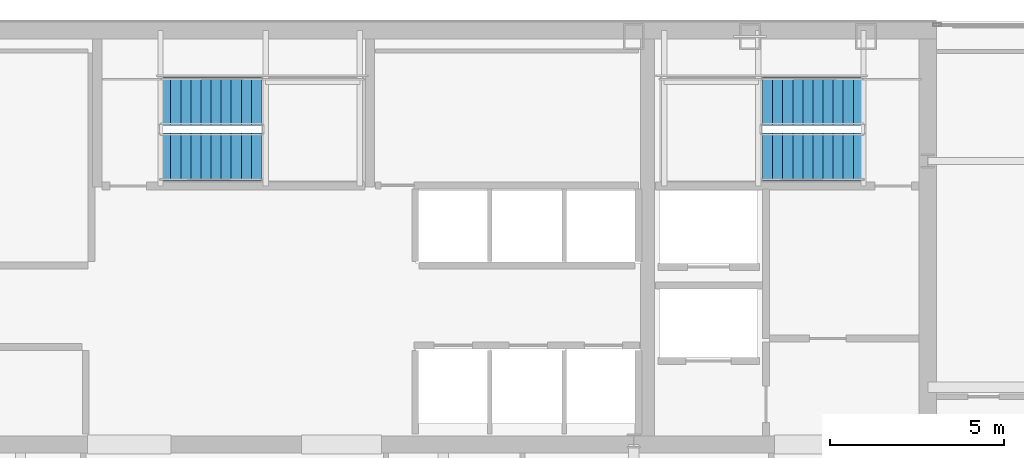
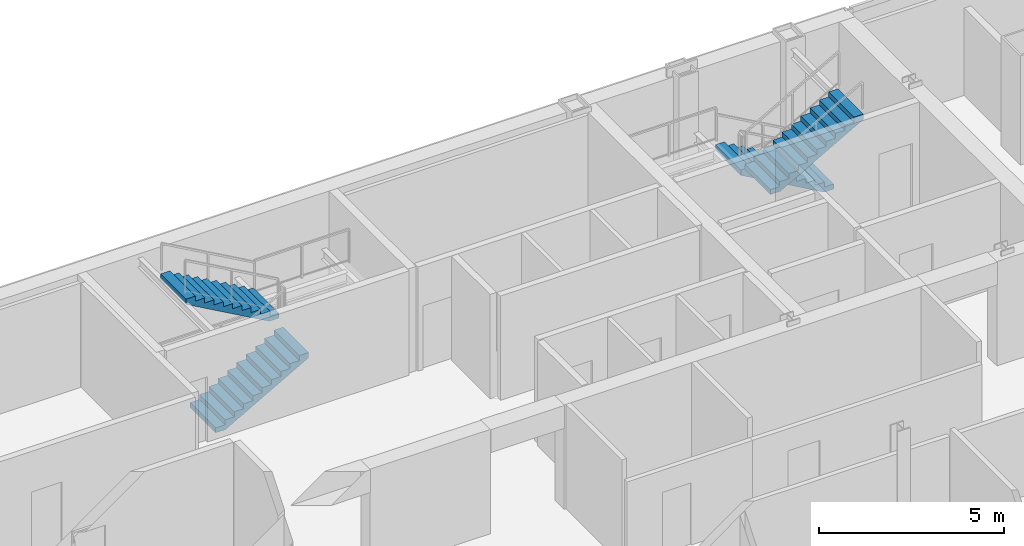
# One storey, part 28 of 30: 4 stair flights, 2 elements without a shape of their own.
"""IFC4 building model written with IfcOpenShell, lengths in metres."""

from ifc_helpers import new_model, si_unit, direction, frame, origin, place, context, subcontext, project, spatial, polyline, outline, extrude, material, type_object, element, aggregate, save


model = new_model("IFC4")

# Units and contexts
model_context = context("Model", 3, precision=1e-05, world=origin(), true_north=direction((0.0, 1.0)))
body_context = subcontext(model_context, "Body", "Model", "MODEL_VIEW")
ifc_project = project(units=[si_unit("LENGTHUNIT", "METRE"), si_unit("AREAUNIT", "SQUARE_METRE"), si_unit("VOLUMEUNIT", "CUBIC_METRE"), si_unit("PLANEANGLEUNIT", "RADIAN"), si_unit("MASSUNIT", "GRAM", prefix="KILO")], contexts=[model_context])

# Site, building, storey
site_placement = place(None, origin())
site = spatial("IfcSite", under=ifc_project, at=site_placement, CompositionType="ELEMENT")
building_placement = place(site_placement, origin())
building = spatial("IfcBuilding", under=site, at=building_placement, Name="Khoronbel Lancet Exchange", CompositionType="ELEMENT")
storey_placement = place(building_placement, frame((0.0, 0.0, 269.800048828125)))
storey = spatial("IfcBuildingStorey", under=building, at=storey_placement, Name="L69", CompositionType="ELEMENT", Elevation=269.800048828125)

# Stair, stair flights
ifc_material = material(Name="Concrete C40/50", Category="concrete")
stair_type = type_object("IfcStairType", Name="STR-CORE150", PredefinedType="HALF_TURN_STAIR", material=ifc_material)
stair_1_placement = place(storey_placement, origin())
stair_1 = element("IfcStair", 1, at=stair_1_placement, inside=storey, type_object=stair_type, Name="L69 Protected Exit Stair ST2", PredefinedType="HALF_TURN_STAIR")
stair_flight_type = type_object("IfcStairFlightType", Name="STF-150", PredefinedType="STRAIGHT", material=ifc_material)
stair_flight_1_placement = place(storey_placement, frame((54.60009765625, 51.409912109375, 0.0), z_axis=(0.0, 0.0, 1.0), x_axis=(-1.0, 0.0, 0.0)))
stair_flight_1 = element("IfcStairFlight", 2, at=stair_flight_1_placement, type_object=stair_flight_type, Name="ST2 flight 1", NumberOfRisers=11, NumberOfTreads=10, PredefinedType="STRAIGHT", RiserHeight=0.163636364, TreadLength=0.29, context=body_context, shape_type="SweptSolid", body=[
    extrude(outline(polyline([(0.0, 0.0), (0.0, 0.16357421875), (0.2900390625, 0.16357421875), (0.2900390625, 0.327392578125), (0.580078125, 0.327392578125), (0.580078125, 0.490966796875), (0.8701171875, 0.490966796875), (0.8701171875, 0.654541015625), (1.159912109375, 0.654541015625), (1.159912109375, 0.818115234375), (1.449951171875, 0.818115234375), (1.449951171875, 0.98193359375), (1.739990234375, 0.98193359375), (1.739990234375, 1.1455078125), (2.030029296875, 1.1455078125), (2.030029296875, 1.30908203125), (2.320068359375, 1.30908203125), (2.320068359375, 1.47265625), (2.610107421875, 1.47265625), (2.610107421875, 1.636474609375), (2.89990234375, 1.636474609375), (2.89990234375, 1.800048828125), (2.89990234375, 1.46435546875), (0.304931640625, 0.0), (0.0, 0.0)])), frame((0.0, 0.68994140625, 0.0), z_axis=(0.0, -1.0, 0.0), x_axis=(1.0, 0.0, 0.0)), (0.0, 0.0, 1.0), 1.3798828125),
])
stair_flight_2_placement = place(storey_placement, frame((51.699951171875, 49.81005859375, 1.800048828125), z_axis=(0.0, 0.0, 1.0), x_axis=(1.0, 0.0, 0.0)))
stair_flight_2 = element("IfcStairFlight", 3, at=stair_flight_2_placement, type_object=stair_flight_type, Name="ST2 flight 2", NumberOfRisers=11, NumberOfTreads=10, PredefinedType="STRAIGHT", RiserHeight=0.163636364, TreadLength=0.29, context=body_context, shape_type="SweptSolid", body=[
    extrude(outline(polyline([(0.0, 0.0), (0.0, 0.16357421875), (0.2900390625, 0.16357421875), (0.2900390625, 0.327392578125), (0.580078125, 0.327392578125), (0.580078125, 0.490966796875), (0.8701171875, 0.490966796875), (0.8701171875, 0.654541015625), (1.159912109375, 0.654541015625), (1.159912109375, 0.818115234375), (1.449951171875, 0.818115234375), (1.449951171875, 0.98193359375), (1.739990234375, 0.98193359375), (1.739990234375, 1.1455078125), (2.030029296875, 1.1455078125), (2.030029296875, 1.30908203125), (2.320068359375, 1.30908203125), (2.320068359375, 1.47265625), (2.610107421875, 1.47265625), (2.610107421875, 1.636474609375), (2.89990234375, 1.636474609375), (2.89990234375, 1.800048828125), (2.89990234375, 1.46435546875), (0.304931640625, 0.0), (0.0, 0.0)])), frame((0.0, 0.68994140625, 0.0), z_axis=(0.0, -1.0, 0.0), x_axis=(1.0, 0.0, 0.0)), (0.0, 0.0, 1.0), 1.3798828125),
])
aggregate(stair_1, [stair_flight_1, stair_flight_2])

stair_2_placement = place(storey_placement, origin())
stair_2 = element("IfcStair", 4, at=stair_2_placement, inside=storey, type_object=stair_type, Name="L69 Protected Exit Stair ST3", PredefinedType="HALF_TURN_STAIR")
stair_flight_3_placement = place(storey_placement, frame((34.39990234375, 49.81005859375, 0.0), z_axis=(0.0, 0.0, 1.0), x_axis=(1.0, 0.0, 0.0)))
stair_flight_3 = element("IfcStairFlight", 5, at=stair_flight_3_placement, type_object=stair_flight_type, Name="ST3 flight 1", NumberOfRisers=11, NumberOfTreads=10, PredefinedType="STRAIGHT", RiserHeight=0.163636364, TreadLength=0.29, context=body_context, shape_type="SweptSolid", body=[
    extrude(outline(polyline([(0.0, 0.0), (0.0, 0.16357421875), (0.2900390625, 0.16357421875), (0.2900390625, 0.327392578125), (0.580078125, 0.327392578125), (0.580078125, 0.490966796875), (0.8701171875, 0.490966796875), (0.8701171875, 0.654541015625), (1.159912109375, 0.654541015625), (1.159912109375, 0.818115234375), (1.449951171875, 0.818115234375), (1.449951171875, 0.98193359375), (1.739990234375, 0.98193359375), (1.739990234375, 1.1455078125), (2.030029296875, 1.1455078125), (2.030029296875, 1.30908203125), (2.320068359375, 1.30908203125), (2.320068359375, 1.47265625), (2.610107421875, 1.47265625), (2.610107421875, 1.636474609375), (2.89990234375, 1.636474609375), (2.89990234375, 1.800048828125), (2.89990234375, 1.46435546875), (0.304931640625, 0.0), (0.0, 0.0)])), frame((0.0, 0.68994140625, 0.0), z_axis=(0.0, -1.0, 0.0), x_axis=(1.0, 0.0, 0.0)), (0.0, 0.0, 1.0), 1.3798828125),
])
stair_flight_4_placement = place(storey_placement, frame((37.300048828125, 51.409912109375, 1.800048828125), z_axis=(0.0, 0.0, 1.0), x_axis=(-1.0, 0.0, 0.0)))
stair_flight_4 = element("IfcStairFlight", 6, at=stair_flight_4_placement, type_object=stair_flight_type, Name="ST3 flight 2", NumberOfRisers=11, NumberOfTreads=10, PredefinedType="STRAIGHT", RiserHeight=0.163636364, TreadLength=0.29, context=body_context, shape_type="SweptSolid", body=[
    extrude(outline(polyline([(0.0, 0.0), (0.0, 0.16357421875), (0.2900390625, 0.16357421875), (0.2900390625, 0.327392578125), (0.580078125, 0.327392578125), (0.580078125, 0.490966796875), (0.8701171875, 0.490966796875), (0.8701171875, 0.654541015625), (1.159912109375, 0.654541015625), (1.159912109375, 0.818115234375), (1.449951171875, 0.818115234375), (1.449951171875, 0.98193359375), (1.739990234375, 0.98193359375), (1.739990234375, 1.1455078125), (2.030029296875, 1.1455078125), (2.030029296875, 1.30908203125), (2.320068359375, 1.30908203125), (2.320068359375, 1.47265625), (2.610107421875, 1.47265625), (2.610107421875, 1.636474609375), (2.89990234375, 1.636474609375), (2.89990234375, 1.800048828125), (2.89990234375, 1.46435546875), (0.304931640625, 0.0), (0.0, 0.0)])), frame((0.0, 0.68994140625, 0.0), z_axis=(0.0, -1.0, 0.0), x_axis=(1.0, 0.0, 0.0)), (0.0, 0.0, 1.0), 1.3798828125),
])
aggregate(stair_2, [stair_flight_3, stair_flight_4])

save(model, "model.ifc")
